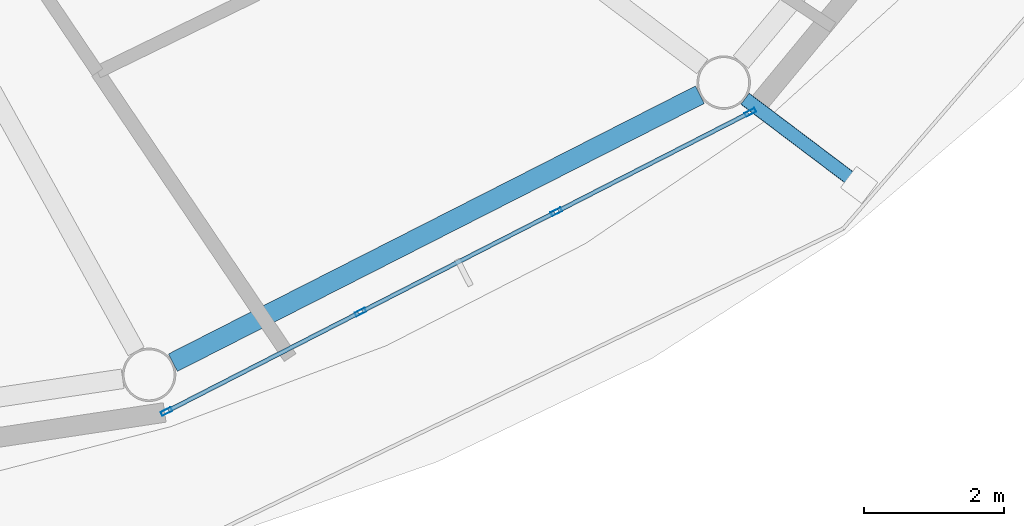
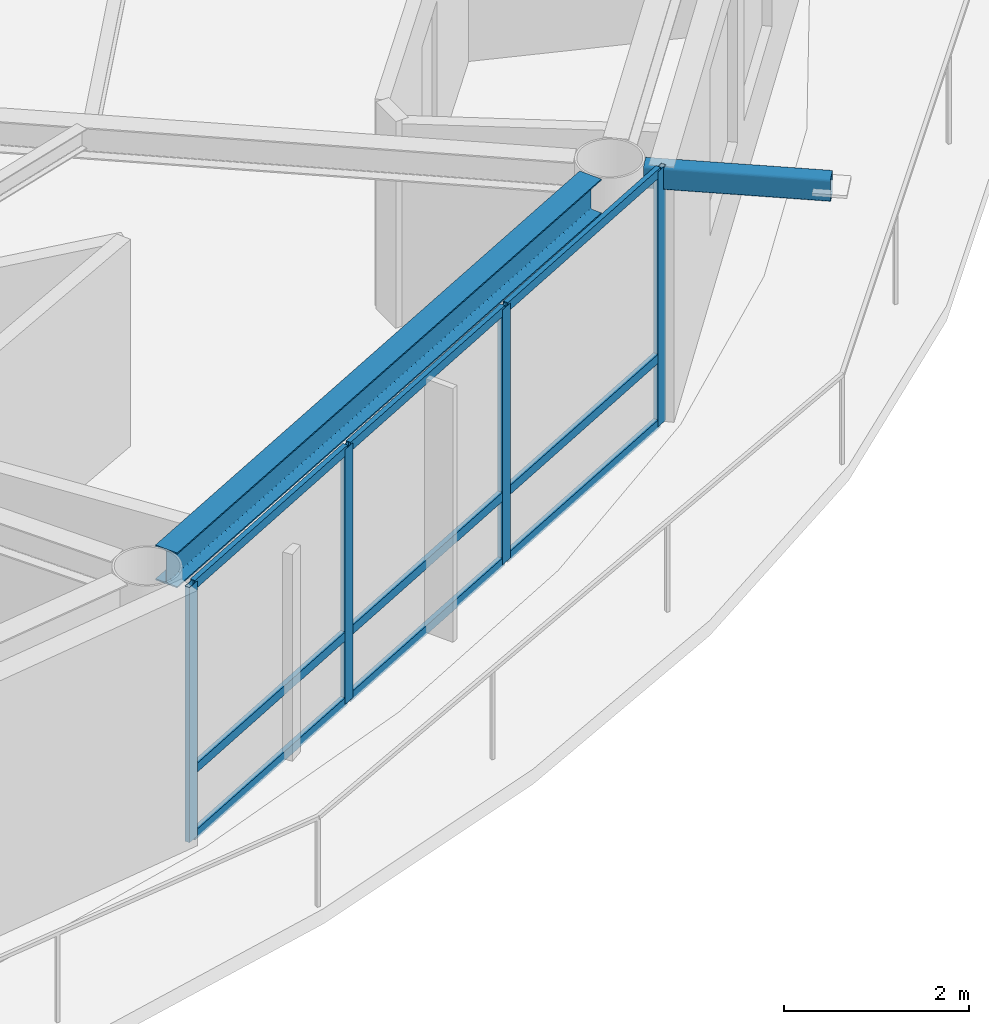
# One storey, part 5 of 22: 14 members, 1 beam, 1 element without a shape of its own.
"""IFC4 building model written with IfcOpenShell, lengths in metres."""

from ifc_helpers import new_model, si_unit, direction, frame, origin, origin_2d, place, context, subcontext, project, spatial, hollow_rectangle, i_section, extrude, material, layer, layer_set, material_profile, profile_set, type_object, element, aggregate, save


model = new_model("IFC4")

# Units and contexts
model_context = context("Model", 3, precision=1e-05, world=origin(), true_north=direction((0.0, 1.0)))
body_context = subcontext(model_context, "Body", "Model", "MODEL_VIEW")
ifc_project = project(units=[si_unit("LENGTHUNIT", "METRE"), si_unit("AREAUNIT", "SQUARE_METRE"), si_unit("VOLUMEUNIT", "CUBIC_METRE"), si_unit("PLANEANGLEUNIT", "RADIAN"), si_unit("MASSUNIT", "GRAM", prefix="KILO")], contexts=[model_context])

# Site, building, storey
site_placement = place(None, origin())
site = spatial("IfcSite", under=ifc_project, at=site_placement, CompositionType="ELEMENT")
building_placement = place(site_placement, origin())
building = spatial("IfcBuilding", under=site, at=building_placement, Name="Sarneth Arch Tower", CompositionType="ELEMENT")
storey_placement = place(building_placement, frame((0.0, 0.0, 287.39990234375)))
storey = spatial("IfcBuildingStorey", under=building, at=storey_placement, Name="L74", CompositionType="ELEMENT", Elevation=287.39990234375)

# Beam
ifc_material_1 = material(Name="Steel S355", Category="steel")
ifc_material_profile_1 = material_profile(ifc_material_1, i_section(OverallWidth=0.280029296875, OverallDepth=0.462890625, WebThickness=0.0107421875, FlangeThickness=0.017333984375, FilletRadius=0.01806640625, at=origin_2d()), Name="W460x113")
ifc_profile_set_1 = profile_set([ifc_material_profile_1], Name="Steel S355")
beam_type = type_object("IfcBeamType", Name="BM-RAD-460A", PredefinedType="BEAM", material=ifc_profile_set_1)
beam_placement = place(storey_placement, frame((58.13037109375, 24.434326171875, 3.138671875), z_axis=(0.891373613492, 0.453269325204, 0.0), x_axis=(-0.453269325204, 0.891373613492, 0.0)))
element("IfcBeam", 1, at=beam_placement, inside=storey, type_object=beam_type, Name="L74 Perimeter spandrel beam 14", PredefinedType="BEAM", context=body_context, shape_type="SweptSolid", body=[
    extrude(i_section(OverallWidth=0.280029296875, OverallDepth=0.462890625, WebThickness=0.0107421875, FlangeThickness=0.017333984375, FilletRadius=0.01806640625, at=origin_2d()), origin(), (0.0, 0.0, 1.0), 8.419677734375),
])

# Curtain wall, members
ifc_material_2 = material(Name="Anodised aluminium Type AA25 and solar-control low-e laminated IGU", Category="aluminium")
ifc_layer = layer(ifc_material_2, 0.179931640625)
ifc_layer_set = layer_set([ifc_layer], Name="Anodised aluminium Type AA25 and solar-control low-e laminated IGU")
curtain_wall_type = type_object("IfcCurtainWallType", Name="CW-RES-HIGH", PredefinedType="NOTDEFINED", material=ifc_layer_set)
curtain_wall_placement = place(storey_placement, origin())
curtain_wall = element("IfcCurtainWall", 2, at=curtain_wall_placement, inside=storey, type_object=curtain_wall_type, Name="L74 Unitised curtain wall facet 14", PredefinedType="NOTDEFINED")
ifc_material_3 = material(Name="Anodised Aluminium 6063-T6", Category="aluminium")
ifc_material_profile_2 = material_profile(ifc_material_3, hollow_rectangle(XDim=0.06005859375, YDim=0.159912109375, WallThickness=0.00390625, at=origin_2d()), Name="AL-MULL-160x60x4")
ifc_profile_set_2 = profile_set([ifc_material_profile_2], Name="Anodised Aluminium 6063-T6")
member_type_1 = type_object("IfcMemberType", Name="CW-MULLION", PredefinedType="MULLION", material=ifc_profile_set_2)
member_1_placement = place(storey_placement, frame((58.039306640625, 23.7392578125, 0.0), z_axis=(0.0, 0.0, 1.0), x_axis=(-0.455941901753, 0.890009540525, 0.0)))
member_1 = element("IfcMember", 3, at=member_1_placement, type_object=member_type_1, Name="CW-SYS-6 mullion 1", PredefinedType="MULLION", context=body_context, shape_type="SweptSolid", body=[
    extrude(hollow_rectangle(XDim=0.06005859375, YDim=0.159912109375, WallThickness=0.00390625, at=origin_2d()), origin(), (0.0, 0.0, 1.0), 3.3701171875),
])
member_2_placement = place(storey_placement, frame((60.802490234375, 25.155029296875, 0.0), z_axis=(0.0, 0.0, 1.0), x_axis=(-0.455941901753, 0.890009540525, 0.0)))
member_2 = element("IfcMember", 4, at=member_2_placement, type_object=member_type_1, Name="CW-SYS-6 mullion 2", PredefinedType="MULLION", context=body_context, shape_type="SweptSolid", body=[
    extrude(hollow_rectangle(XDim=0.06005859375, YDim=0.159912109375, WallThickness=0.00390625, at=origin_2d()), origin(), (0.0, 0.0, 1.0), 3.3701171875),
])
member_3_placement = place(storey_placement, frame((63.592529296875, 26.584228515625, 0.0), z_axis=(0.0, 0.0, 1.0), x_axis=(-0.455941901753, 0.890009540525, 0.0)))
member_3 = element("IfcMember", 5, at=member_3_placement, type_object=member_type_1, Name="CW-SYS-6 mullion 3", PredefinedType="MULLION", context=body_context, shape_type="SweptSolid", body=[
    extrude(hollow_rectangle(XDim=0.06005859375, YDim=0.159912109375, WallThickness=0.00390625, at=origin_2d()), origin(), (0.0, 0.0, 1.0), 3.3701171875),
])
member_4_placement = place(storey_placement, frame((66.355712890625, 27.999755859375, 0.0), z_axis=(0.0, 0.0, 1.0), x_axis=(-0.455941901753, 0.890009540525, 0.0)))
member_4 = element("IfcMember", 6, at=member_4_placement, type_object=member_type_1, Name="CW-SYS-6 mullion 4", PredefinedType="MULLION", context=body_context, shape_type="SweptSolid", body=[
    extrude(hollow_rectangle(XDim=0.06005859375, YDim=0.159912109375, WallThickness=0.00390625, at=origin_2d()), origin(), (0.0, 0.0, 1.0), 3.3701171875),
])
ifc_material_4 = material(Name="Anodised Aluminium 6063-T6", Category="aluminium")
ifc_material_profile_3 = material_profile(ifc_material_4, hollow_rectangle(XDim=0.06005859375, YDim=0.1201171875, WallThickness=0.00390625, at=origin_2d()), Name="AL-TRAN-120x60x4")
ifc_profile_set_3 = profile_set([ifc_material_profile_3], Name="Anodised Aluminium 6063-T6")
member_type_2 = type_object("IfcMemberType", Name="CW-TRANSOM", PredefinedType="USERDEFINED", material=ifc_profile_set_3)
member_5_placement = place(storey_placement, frame((58.066162109375, 23.7529296875, 0.030029296875), z_axis=(0.889973523166, 0.456012201662, 0.0), x_axis=(-0.456012201662, 0.889973523166, 0.0)))
member_5 = element("IfcMember", 7, at=member_5_placement, type_object=member_type_2, Name="CW-SYS-6 transom 1.1", ObjectType="TRANSOM", PredefinedType="USERDEFINED", context=body_context, shape_type="SweptSolid", body=[
    extrude(hollow_rectangle(XDim=0.06005859375, YDim=0.1201171875, WallThickness=0.00390625, at=origin_2d()), origin(), (0.0, 0.0, 1.0), 3.044677734375),
])
member_6_placement = place(storey_placement, frame((58.066162109375, 23.7529296875, 0.900146484375), z_axis=(0.889973523166, 0.456012201662, 0.0), x_axis=(-0.456012201662, 0.889973523166, 0.0)))
member_6 = element("IfcMember", 8, at=member_6_placement, type_object=member_type_2, Name="CW-SYS-6 transom 1.2", ObjectType="TRANSOM", PredefinedType="USERDEFINED", context=body_context, shape_type="SweptSolid", body=[
    extrude(hollow_rectangle(XDim=0.06005859375, YDim=0.1201171875, WallThickness=0.00390625, at=origin_2d()), origin(), (0.0, 0.0, 1.0), 3.044677734375),
])
member_7_placement = place(storey_placement, frame((58.066162109375, 23.7529296875, 3.340087890625), z_axis=(0.889973523166, 0.456012201662, 0.0), x_axis=(-0.456012201662, 0.889973523166, 0.0)))
member_7 = element("IfcMember", 9, at=member_7_placement, type_object=member_type_2, Name="CW-SYS-6 transom 1.3", ObjectType="TRANSOM", PredefinedType="USERDEFINED", context=body_context, shape_type="SweptSolid", body=[
    extrude(hollow_rectangle(XDim=0.06005859375, YDim=0.1201171875, WallThickness=0.00390625, at=origin_2d()), origin(), (0.0, 0.0, 1.0), 3.044677734375),
])
member_8_placement = place(storey_placement, frame((60.829345703125, 25.168701171875, 0.030029296875), z_axis=(0.890017432405, 0.455926496286, 0.0), x_axis=(-0.455926496286, 0.890017432405, 0.0)))
member_8 = element("IfcMember", 10, at=member_8_placement, type_object=member_type_2, Name="CW-SYS-6 transom 2.1", ObjectType="TRANSOM", PredefinedType="USERDEFINED", context=body_context, shape_type="SweptSolid", body=[
    extrude(hollow_rectangle(XDim=0.06005859375, YDim=0.1201171875, WallThickness=0.00390625, at=origin_2d()), origin(), (0.0, 0.0, 1.0), 3.07470703125),
])
member_9_placement = place(storey_placement, frame((60.829345703125, 25.168701171875, 0.900146484375), z_axis=(0.890017432405, 0.455926496286, 0.0), x_axis=(-0.455926496286, 0.890017432405, 0.0)))
member_9 = element("IfcMember", 11, at=member_9_placement, type_object=member_type_2, Name="CW-SYS-6 transom 2.2", ObjectType="TRANSOM", PredefinedType="USERDEFINED", context=body_context, shape_type="SweptSolid", body=[
    extrude(hollow_rectangle(XDim=0.06005859375, YDim=0.1201171875, WallThickness=0.00390625, at=origin_2d()), origin(), (0.0, 0.0, 1.0), 3.07470703125),
])
member_10_placement = place(storey_placement, frame((60.829345703125, 25.168701171875, 3.340087890625), z_axis=(0.890017432405, 0.455926496286, 0.0), x_axis=(-0.455926496286, 0.890017432405, 0.0)))
member_10 = element("IfcMember", 12, at=member_10_placement, type_object=member_type_2, Name="CW-SYS-6 transom 2.3", ObjectType="TRANSOM", PredefinedType="USERDEFINED", context=body_context, shape_type="SweptSolid", body=[
    extrude(hollow_rectangle(XDim=0.06005859375, YDim=0.1201171875, WallThickness=0.00390625, at=origin_2d()), origin(), (0.0, 0.0, 1.0), 3.07470703125),
])
member_11_placement = place(storey_placement, frame((63.619140625, 26.597900390625, 0.030029296875), z_axis=(0.890022732705, 0.455916149384, 0.0), x_axis=(-0.455916149384, 0.890022732705, 0.0)))
member_11 = element("IfcMember", 13, at=member_11_placement, type_object=member_type_2, Name="CW-SYS-6 transom 3.1", ObjectType="TRANSOM", PredefinedType="USERDEFINED", context=body_context, shape_type="SweptSolid", body=[
    extrude(hollow_rectangle(XDim=0.06005859375, YDim=0.1201171875, WallThickness=0.00390625, at=origin_2d()), origin(), (0.0, 0.0, 1.0), 3.044921875),
])
member_12_placement = place(storey_placement, frame((63.619140625, 26.597900390625, 0.900146484375), z_axis=(0.890022732705, 0.455916149384, 0.0), x_axis=(-0.455916149384, 0.890022732705, 0.0)))
member_12 = element("IfcMember", 14, at=member_12_placement, type_object=member_type_2, Name="CW-SYS-6 transom 3.2", ObjectType="TRANSOM", PredefinedType="USERDEFINED", context=body_context, shape_type="SweptSolid", body=[
    extrude(hollow_rectangle(XDim=0.06005859375, YDim=0.1201171875, WallThickness=0.00390625, at=origin_2d()), origin(), (0.0, 0.0, 1.0), 3.044921875),
])
member_13_placement = place(storey_placement, frame((63.619140625, 26.597900390625, 3.340087890625), z_axis=(0.890022732705, 0.455916149384, 0.0), x_axis=(-0.455916149384, 0.890022732705, 0.0)))
member_13 = element("IfcMember", 15, at=member_13_placement, type_object=member_type_2, Name="CW-SYS-6 transom 3.3", ObjectType="TRANSOM", PredefinedType="USERDEFINED", context=body_context, shape_type="SweptSolid", body=[
    extrude(hollow_rectangle(XDim=0.06005859375, YDim=0.1201171875, WallThickness=0.00390625, at=origin_2d()), origin(), (0.0, 0.0, 1.0), 3.044921875),
])
aggregate(curtain_wall, [member_1, member_2, member_3, member_4, member_5, member_6, member_7, member_8, member_9, member_10, member_11, member_12, member_13])

# Member
ifc_material_5 = material(Name="Steel S355", Category="steel")
ifc_material_profile_4 = material_profile(ifc_material_5, hollow_rectangle(XDim=0.199951171875, YDim=0.300048828125, WallThickness=0.012451171875, InnerFilletRadius=0.018798828125, OuterFilletRadius=0.03125, at=origin_2d()), Name="RHS300x200x12.5")
ifc_profile_set_4 = profile_set([ifc_material_profile_4], Name="Steel S355")
member_type_3 = type_object("IfcMemberType", Name="MEM-CANT-STRUT", PredefinedType="STRUT", material=ifc_profile_set_4)
member_14_placement = place(storey_placement, frame((66.279296875, 28.19384765625, 3.210205078125), z_axis=(0.797968467988, -0.602699198686, 0.0), x_axis=(0.602699198686, 0.797968467988, 0.0)))
element("IfcMember", 16, at=member_14_placement, inside=storey, type_object=member_type_3, Name="L74 Balcony cantilever bracket 15", PredefinedType="STRUT", context=body_context, shape_type="SweptSolid", body=[
    extrude(hollow_rectangle(XDim=0.199951171875, YDim=0.300048828125, WallThickness=0.012451171875, InnerFilletRadius=0.018798828125, OuterFilletRadius=0.03125, at=origin_2d()), origin(), (0.0, 0.0, 1.0), 2.037841796875),
])

save(model, "model.ifc")
